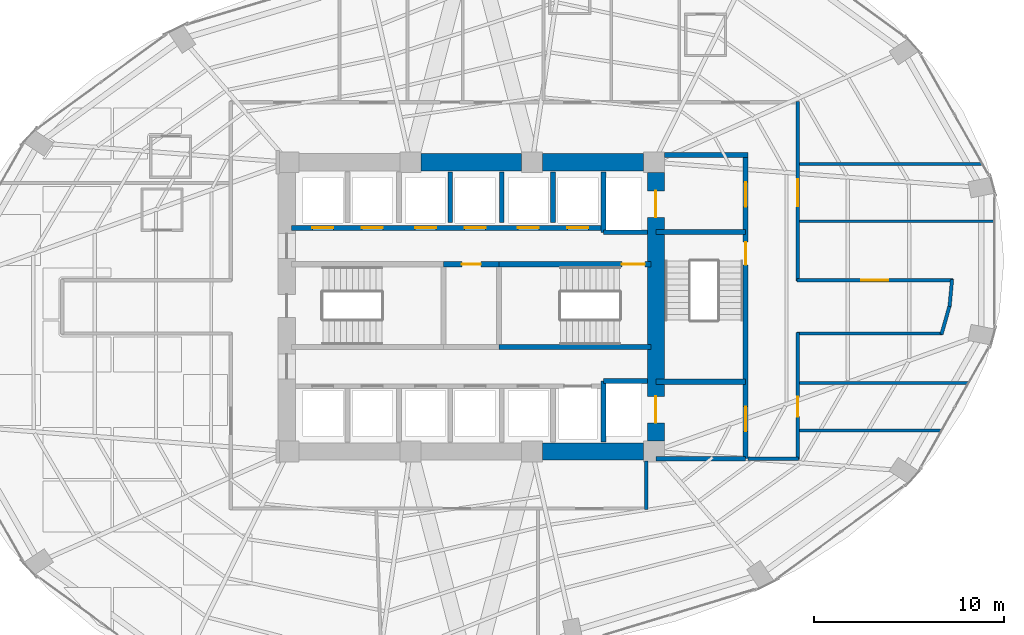
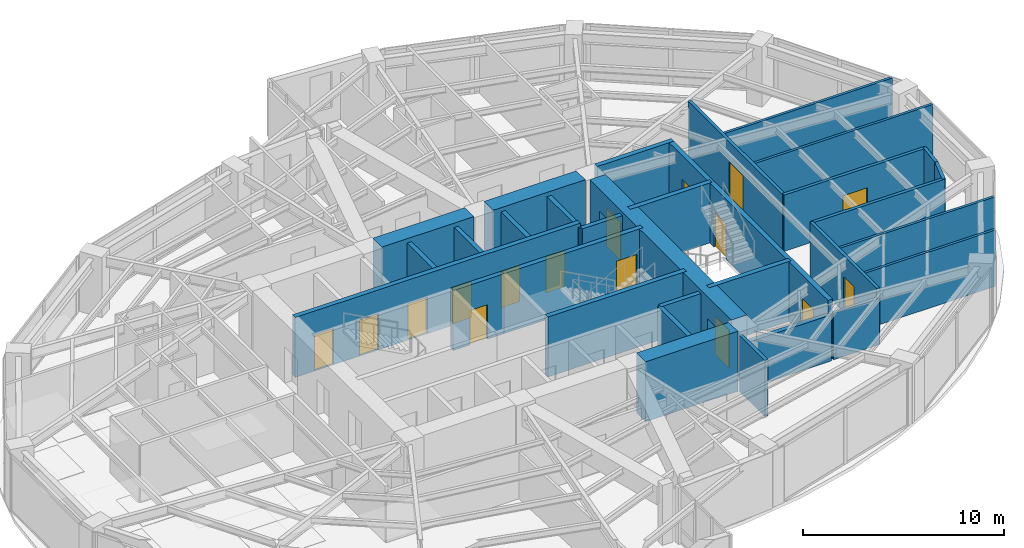
# One storey, part 22 of 25: 32 walls, 16 doors, 16 openings.
"""IFC4 building model written with IfcOpenShell, lengths in metres."""

from ifc_helpers import new_model, si_unit, direction, frame, frame_2d, origin, place, context, subcontext, project, spatial, rectangle, extrude, material, layer, layer_set, type_object, element, fill, save


model = new_model("IFC4")

# Units and contexts
model_context = context("Model", 3, precision=1e-05, world=origin(), true_north=direction((0.0, 1.0)))
body_context = subcontext(model_context, "Body", "Model", "MODEL_VIEW")
ifc_project = project(units=[si_unit("LENGTHUNIT", "METRE"), si_unit("AREAUNIT", "SQUARE_METRE"), si_unit("VOLUMEUNIT", "CUBIC_METRE"), si_unit("PLANEANGLEUNIT", "RADIAN"), si_unit("MASSUNIT", "GRAM", prefix="KILO")], contexts=[model_context])

# Site, building, storey
site_placement = place(None, origin())
site = spatial("IfcSite", under=ifc_project, at=site_placement, CompositionType="ELEMENT")
building_placement = place(site_placement, origin())
building = spatial("IfcBuilding", under=site, at=building_placement, Name="Lazwardi Medical Tower", CompositionType="ELEMENT")
storey_placement = place(building_placement, frame((0.0, 0.0, 47.087890625)))
storey = spatial("IfcBuildingStorey", under=building, at=storey_placement, Name="L11", CompositionType="ELEMENT", Elevation=47.087890625)

# Wall, opening, door
ifc_material_1 = material(Name="Fire-rated gypsum board on steel stud", Category="steel")
ifc_layer_1 = layer(ifc_material_1, 0.179931640625)
ifc_layer_set_1 = layer_set([ifc_layer_1], Name="Fire-rated gypsum board on steel stud")
wall_type_1 = type_object("IfcWallType", Name="WL-COR-180", PredefinedType="PARTITIONING", material=ifc_layer_set_1)
wall_1_placement = place(storey_placement, frame((53.14990234375, 38.7900390625, 0.0), z_axis=(0.0, 0.0, 1.0), x_axis=(0.0, -1.0, 0.0)))
wall_1 = element("IfcWall", 1, at=wall_1_placement, inside=storey, type_object=wall_type_1, Name="L11 Corridor partition 5", PredefinedType="PARTITIONING", context=body_context, shape_type="SweptSolid", body=[
    extrude(rectangle(XDim=9.429931640625, YDim=0.179931640625, at=frame_2d((4.71484375, 0.0))), origin(), (0.0, 0.0, 1.0), 3.42822265625),
])
opening_1_placement = place(wall_1_placement, frame((4.090087890625, 0.0, 0.0)))
opening_1 = element("IfcOpeningElement", 2, at=opening_1_placement, cuts=wall_1, Name="Opening D-L11-015", PredefinedType="OPENING", context=body_context, shape_type="SweptSolid", body=[
    extrude(rectangle(XDim=1.39990234375, YDim=2.199951171875, at=frame_2d((0.699951171875, 1.10009765625))), frame((0.0, 0.099853515625, 0.0), z_axis=(0.0, -1.0, 0.0), x_axis=(1.0, 0.0, 0.0)), (0.0, 0.0, 1.0), 0.199951171875),
])
ifc_material_2 = material(Name="Anti-microbial laminate hospital leaf")
door_type_1 = type_object("IfcDoorType", Name="DR-BED-1400", OperationType="NOTDEFINED", PredefinedType="DOOR", material=ifc_material_2)
door_1_placement = place(opening_1_placement, origin())
door_1 = element("IfcDoor", 3, at=door_1_placement, inside=storey, type_object=door_type_1, Name="L11 Inpatient Ward Door 06", OperationType="SINGLE_SWING_LEFT", OverallHeight=2.199951171875, OverallWidth=1.39990234375, PredefinedType="DOOR", context=body_context, shape_type="SweptSolid", body=[
    extrude(rectangle(XDim=1.39990234375, YDim=2.199951171875, at=frame_2d((0.699951171875, 1.10009765625))), frame((0.0, 0.02490234375, 0.0), z_axis=(0.0, -1.0, 0.0), x_axis=(1.0, 0.0, 0.0)), (0.0, 0.0, 1.0), 0.050048828125),
])
fill(opening_1, door_1)

wall_2_placement = place(storey_placement, frame((53.110107421875, 29.39990234375, 0.0), z_axis=(0.0, 0.0, 1.0), x_axis=(1.0, 0.0, 0.0)))
wall_2 = element("IfcWall", 4, at=wall_2_placement, inside=storey, type_object=wall_type_1, Name="L11 Corridor partition 6", PredefinedType="PARTITIONING", context=body_context, shape_type="SweptSolid", body=[
    extrude(rectangle(XDim=8.19677734375, YDim=0.179931640625, at=frame_2d((4.098388671875, 0.0))), origin(), (0.0, 0.0, 1.0), 3.42822265625),
])
opening_2_placement = place(wall_2_placement, frame((3.3984375, 0.0, 0.0)))
opening_2 = element("IfcOpeningElement", 5, at=opening_2_placement, cuts=wall_2, Name="Opening D-L11-014", PredefinedType="OPENING", context=body_context, shape_type="SweptSolid", body=[
    extrude(rectangle(XDim=1.39990234375, YDim=2.199951171875, at=frame_2d((0.699951171875, 1.10009765625))), frame((0.0, 0.099853515625, 0.0), z_axis=(0.0, -1.0, 0.0), x_axis=(1.0, 0.0, 0.0)), (0.0, 0.0, 1.0), 0.199951171875),
])
door_2_placement = place(opening_2_placement, origin())
door_2 = element("IfcDoor", 6, at=door_2_placement, inside=storey, type_object=door_type_1, Name="L11 Inpatient Ward Door 05", OperationType="SINGLE_SWING_RIGHT", OverallHeight=2.199951171875, OverallWidth=1.39990234375, PredefinedType="DOOR", context=body_context, shape_type="SweptSolid", body=[
    extrude(rectangle(XDim=1.39990234375, YDim=2.199951171875, at=frame_2d((0.699951171875, 1.10009765625))), frame((0.0, 0.02490234375, 0.0), z_axis=(0.0, -1.0, 0.0), x_axis=(1.0, 0.0, 0.0)), (0.0, 0.0, 1.0), 0.050048828125),
])
fill(opening_2, door_2)

# Walls
wall_3_placement = place(storey_placement, frame((61.2705078125, 29.439697265625, 0.0), z_axis=(0.0, 0.0, 1.0), x_axis=(-0.092539930621, -0.995708974169, 0.0)))
element("IfcWall", 7, at=wall_3_placement, inside=storey, type_object=wall_type_1, Name="L11 Corridor partition 7", PredefinedType="PARTITIONING", context=body_context, shape_type="SweptSolid", body=[
    extrude(rectangle(XDim=1.416748046875, YDim=0.179931640625, at=frame_2d((0.70849609375, 0.0))), origin(), (0.0, 0.0, 1.0), 3.42822265625),
])
wall_4_placement = place(storey_placement, frame((61.15380859375, 28.107421875, 0.0), z_axis=(0.0, 0.0, 1.0), x_axis=(-0.271748942561, -0.962368179138, 0.0)))
element("IfcWall", 8, at=wall_4_placement, inside=storey, type_object=wall_type_1, Name="L11 Corridor partition 8", PredefinedType="PARTITIONING", context=body_context, shape_type="SweptSolid", body=[
    extrude(rectangle(XDim=1.6064453125, YDim=0.179931640625, at=frame_2d((0.80322265625, 0.0))), origin(), (0.0, 0.0, 1.0), 3.42822265625),
])
wall_5_placement = place(storey_placement, frame((60.768310546875, 26.60009765625, 0.0), z_axis=(0.0, 0.0, 1.0), x_axis=(-1.0, 0.0, 0.0)))
element("IfcWall", 9, at=wall_5_placement, inside=storey, type_object=wall_type_1, Name="L11 Corridor partition 9", PredefinedType="PARTITIONING", context=body_context, shape_type="SweptSolid", body=[
    extrude(rectangle(XDim=7.658203125, YDim=0.179931640625, at=frame_2d((3.8291015625, 0.0))), origin(), (0.0, 0.0, 1.0), 3.42822265625),
])

# Wall, opening, door
wall_6_placement = place(storey_placement, frame((53.14990234375, 26.639892578125, 0.0), z_axis=(0.0, 0.0, 1.0), x_axis=(0.0, -1.0, 0.0)))
wall_6 = element("IfcWall", 10, at=wall_6_placement, inside=storey, type_object=wall_type_1, Name="L11 Corridor partition 10", PredefinedType="PARTITIONING", context=body_context, shape_type="SweptSolid", body=[
    extrude(rectangle(XDim=6.659912109375, YDim=0.179931640625, at=frame_2d((3.330078125, 0.0))), origin(), (0.0, 0.0, 1.0), 3.42822265625),
])
opening_3_placement = place(wall_6_placement, frame((3.364990234375, 0.0, 0.0)))
opening_3 = element("IfcOpeningElement", 11, at=opening_3_placement, cuts=wall_6, Name="Opening D-L11-013", PredefinedType="OPENING", context=body_context, shape_type="SweptSolid", body=[
    extrude(rectangle(XDim=1.050048828125, YDim=2.14990234375, at=frame_2d((0.52490234375, 1.074951171875))), frame((0.0, 0.099853515625, 0.0), z_axis=(0.0, -1.0, 0.0), x_axis=(1.0, 0.0, 0.0)), (0.0, 0.0, 1.0), 0.199951171875),
])
door_type_2 = type_object("IfcDoorType", Name="DR-CLN-1050", OperationType="NOTDEFINED", PredefinedType="DOOR", material=ifc_material_2)
door_3_placement = place(opening_3_placement, origin())
door_3 = element("IfcDoor", 12, at=door_3_placement, inside=storey, type_object=door_type_2, Name="L11 Outpatient Clinic Door 04", OperationType="SINGLE_SWING_LEFT", OverallHeight=2.14990234375, OverallWidth=1.050048828125, PredefinedType="DOOR", context=body_context, shape_type="SweptSolid", body=[
    extrude(rectangle(XDim=1.050048828125, YDim=2.14990234375, at=frame_2d((0.52490234375, 1.074951171875))), frame((0.0, 0.02490234375, 0.0), z_axis=(0.0, -1.0, 0.0), x_axis=(1.0, 0.0, 0.0)), (0.0, 0.0, 1.0), 0.050048828125),
])
fill(opening_3, door_3)

# Walls
wall_7_placement = place(storey_placement, frame((53.18994140625, 20.02001953125, 0.0), z_axis=(0.0, 0.0, 1.0), x_axis=(-1.0, 0.0, 0.0)))
element("IfcWall", 13, at=wall_7_placement, inside=storey, type_object=wall_type_1, Name="L11 Corridor partition 11", PredefinedType="PARTITIONING", context=body_context, shape_type="SweptSolid", body=[
    extrude(rectangle(XDim=2.64990234375, YDim=0.179931640625, at=frame_2d((1.324951171875, 0.0))), origin(), (0.0, 0.0, 1.0), 2.81298828125),
])
wall_8_placement = place(storey_placement, frame((45.199951171875, 19.909912109375, 0.0), z_axis=(0.0, 0.0, 1.0), x_axis=(0.0, -1.0, 0.0)))
element("IfcWall", 14, at=wall_8_placement, inside=storey, type_object=wall_type_1, Name="L11 Corridor partition 14", PredefinedType="PARTITIONING", context=body_context, shape_type="SweptSolid", body=[
    extrude(rectangle(XDim=2.5498046875, YDim=0.179931640625, at=frame_2d((1.27490234375, 0.0))), origin(), (0.0, 0.0, 1.0), 3.42822265625),
])

# Wall, openings, doors
ifc_material_3 = material(Name="Concrete C80/95", Category="concrete")
ifc_layer_2 = layer(ifc_material_3, 0.89990234375)
ifc_layer_set_2 = layer_set([ifc_layer_2], Name="Concrete C80/95")
wall_type_2 = type_object("IfcWallType", Name="WL-CORE-900", PredefinedType="SHEAR", material=ifc_layer_set_2)
wall_9_placement = place(storey_placement, frame((45.699951171875, 20.949951171875, 0.0), z_axis=(0.0, 0.0, 1.0), x_axis=(0.0, 1.0, 0.0)))
wall_9 = element("IfcWall", 15, at=wall_9_placement, inside=storey, type_object=wall_type_2, Name="Core wall CW-S1 east L11", PredefinedType="SHEAR", context=body_context, shape_type="SweptSolid", body=[
    extrude(rectangle(XDim=14.10009765625, YDim=0.89990234375, at=frame_2d((7.050048828125, 0.0))), origin(), (0.0, 0.0, 1.0), 3.648193359375),
])
opening_4_placement = place(wall_9_placement, frame((11.75, 0.0, 0.0)))
opening_4 = element("IfcOpeningElement", 16, at=opening_4_placement, cuts=wall_9, Name="Opening LD-L11-001", PredefinedType="OPENING", context=body_context, shape_type="SweptSolid", body=[
    extrude(rectangle(XDim=1.39990234375, YDim=2.300048828125, at=frame_2d((0.699951171875, 1.14990234375))), frame((0.0, 0.4599609375, 0.0), z_axis=(0.0, -1.0, 0.0), x_axis=(1.0, 0.0, 0.0)), (0.0, 0.0, 1.0), 0.919921875),
])
opening_5_placement = place(wall_9_placement, frame((0.949951171875, 0.0, 0.0)))
opening_5 = element("IfcOpeningElement", 17, at=opening_5_placement, cuts=wall_9, Name="Opening LD-L11-002", PredefinedType="OPENING", context=body_context, shape_type="SweptSolid", body=[
    extrude(rectangle(XDim=1.39990234375, YDim=2.300048828125, at=frame_2d((0.699951171875, 1.14990234375))), frame((0.0, 0.4599609375, 0.0), z_axis=(0.0, -1.0, 0.0), x_axis=(1.0, 0.0, 0.0)), (0.0, 0.0, 1.0), 0.919921875),
])
ifc_material_4 = material(Name="Brushed stainless steel bed-lift landing door", Category="steel")
door_type_3 = type_object("IfcDoorType", Name="DR-LFT-1400", OperationType="NOTDEFINED", PredefinedType="DOOR", material=ifc_material_4)
door_4_placement = place(opening_4_placement, origin())
door_4 = element("IfcDoor", 18, at=door_4_placement, inside=storey, type_object=door_type_3, Name="L11 Lift Landing Door FL-01", OperationType="SLIDING_TO_LEFT", OverallHeight=2.300048828125, OverallWidth=1.39990234375, PredefinedType="DOOR", context=body_context, shape_type="SweptSolid", body=[
    extrude(rectangle(XDim=1.39990234375, YDim=2.300048828125, at=frame_2d((0.699951171875, 1.14990234375))), frame((0.0, 0.02490234375, 0.0), z_axis=(0.0, -1.0, 0.0), x_axis=(1.0, 0.0, 0.0)), (0.0, 0.0, 1.0), 0.050048828125),
])
fill(opening_4, door_4)
door_5_placement = place(opening_5_placement, origin())
door_5 = element("IfcDoor", 19, at=door_5_placement, inside=storey, type_object=door_type_3, Name="L11 Lift Landing Door FL-02", OperationType="SLIDING_TO_LEFT", OverallHeight=2.300048828125, OverallWidth=1.39990234375, PredefinedType="DOOR", context=body_context, shape_type="SweptSolid", body=[
    extrude(rectangle(XDim=1.39990234375, YDim=2.300048828125, at=frame_2d((0.699951171875, 1.14990234375))), frame((0.0, 0.02490234375, 0.0), z_axis=(0.0, -1.0, 0.0), x_axis=(1.0, 0.0, 0.0)), (0.0, 0.0, 1.0), 0.050048828125),
])
fill(opening_5, door_5)

# Walls
wall_10_placement = place(storey_placement, frame((33.35009765625, 35.60009765625, 0.0), z_axis=(0.0, 0.0, 1.0), x_axis=(1.0, 0.0, 0.0)))
element("IfcWall", 20, at=wall_10_placement, inside=storey, type_object=wall_type_2, Name="Core wall CW-S1 N2 L11", PredefinedType="SHEAR", context=body_context, shape_type="SweptSolid", body=[
    extrude(rectangle(XDim=5.2998046875, YDim=0.89990234375, at=frame_2d((2.64990234375, 0.0))), origin(), (0.0, 0.0, 1.0), 3.648193359375),
])
for number, where, z_axis, x_axis, name in (
    (21, (39.75, 20.39990234375, 0.0), (0.0, 0.0, 1.0), (1.0, 0.0, 0.0), "Core wall CW-S1 S3 L11"),
    (22, (39.75, 35.60009765625, 0.0), (0.0, 0.0, 1.0), (1.0, 0.0, 0.0), "Core wall CW-S1 N3 L11"),
):
    element("IfcWall", number, at=place(storey_placement, frame(where, z_axis=z_axis, x_axis=x_axis)), inside=storey, type_object=wall_type_2, Name=name, PredefinedType="SHEAR", context=body_context, shape_type="SweptSolid", body=[
        extrude(rectangle(XDim=5.300048828125, YDim=0.89990234375, at=frame_2d((2.64990234375, 0.0))), origin(), (0.0, 0.0, 1.0), 3.648193359375),
    ])
ifc_material_5 = material(Name="Autoclaved aerated concrete blockwork", Category="masonry")
ifc_layer_3 = layer(ifc_material_5, 0.25)
ifc_layer_set_3 = layer_set([ifc_layer_3], Name="Autoclaved aerated concrete blockwork")
wall_type_3 = type_object("IfcWallType", Name="WL-SHAFT-250", PredefinedType="SOLIDWALL", material=ifc_layer_set_3)
wall_11_placement = place(storey_placement, frame((42.949951171875, 31.919921875, 0.0), z_axis=(0.0, 0.0, 1.0), x_axis=(0.0, 1.0, 0.0)))
element("IfcWall", 23, at=wall_11_placement, inside=storey, type_object=wall_type_3, Name="L11 FL-01 West shaft wall", PredefinedType="SOLIDWALL", context=body_context, shape_type="SweptSolid", body=[
    extrude(rectangle(XDim=3.18017578125, YDim=0.25, at=frame_2d((1.590087890625, 0.0))), origin(), (0.0, 0.0, 1.0), 3.42822265625),
])
wall_12_placement = place(storey_placement, frame((42.949951171875, 31.919921875, 0.0), z_axis=(0.0, 0.0, 1.0), x_axis=(1.0, 0.0, 0.0)))
element("IfcWall", 24, at=wall_12_placement, inside=storey, type_object=wall_type_3, Name="L11 FL-01 South shaft wall", PredefinedType="SOLIDWALL", context=body_context, shape_type="SweptSolid", body=[
    extrude(rectangle(XDim=2.300048828125, YDim=0.25, at=frame_2d((1.14990234375, 0.0))), origin(), (0.0, 0.0, 1.0), 3.42822265625),
])
wall_13_placement = place(storey_placement, frame((42.949951171875, 20.89990234375, 0.0), z_axis=(0.0, 0.0, 1.0), x_axis=(0.0, 1.0, 0.0)))
element("IfcWall", 25, at=wall_13_placement, inside=storey, type_object=wall_type_3, Name="L11 FL-02 West shaft wall", PredefinedType="SOLIDWALL", context=body_context, shape_type="SweptSolid", body=[
    extrude(rectangle(XDim=3.2001953125, YDim=0.25, at=frame_2d((1.60009765625, 0.0))), origin(), (0.0, 0.0, 1.0), 3.42822265625),
])
wall_14_placement = place(storey_placement, frame((42.949951171875, 24.10009765625, 0.0), z_axis=(0.0, 0.0, 1.0), x_axis=(1.0, 0.0, 0.0)))
element("IfcWall", 26, at=wall_14_placement, inside=storey, type_object=wall_type_3, Name="L11 FL-02 North shaft wall", PredefinedType="SOLIDWALL", context=body_context, shape_type="SweptSolid", body=[
    extrude(rectangle(XDim=2.300048828125, YDim=0.25, at=frame_2d((1.14990234375, 0.0))), origin(), (0.0, 0.0, 1.0), 3.42822265625),
])
for number, where, z_axis, x_axis, name in (
    (27, (34.89990234375, 32.419921875, 0.0), (0.0, 0.0, 1.0), (0.0, 1.0, 0.0), "L11 North hoistway divider"),
    (28, (37.60009765625, 32.419921875, 0.0), (0.0, 0.0, 1.0), (0.0, 1.0, 0.0), "L11 North hoistway divider"),
    (29, (40.300048828125, 32.419921875, 0.0), (0.0, 0.0, 1.0), (0.0, 1.0, 0.0), "L11 North hoistway divider"),
):
    element("IfcWall", number, at=place(storey_placement, frame(where, z_axis=z_axis, x_axis=x_axis)), inside=storey, type_object=wall_type_3, Name=name, PredefinedType="SOLIDWALL", context=body_context, shape_type="SweptSolid", body=[
        extrude(rectangle(XDim=2.68017578125, YDim=0.25, at=frame_2d((1.340087890625, 0.0))), origin(), (0.0, 0.0, 1.0), 3.42822265625),
    ])
wall_15_placement = place(storey_placement, frame((45.699951171875, 20.02001953125, 0.0), z_axis=(0.0, 0.0, 1.0), x_axis=(1.0, 0.0, 0.0)))
element("IfcWall", 30, at=wall_15_placement, inside=storey, type_object=wall_type_3, Name="L11 FFL-S South wall", PredefinedType="SOLIDWALL", context=body_context, shape_type="SweptSolid", body=[
    extrude(rectangle(XDim=4.715087890625, YDim=0.25, at=frame_2d((2.357421875, 0.0))), origin(), (0.0, 0.0, 1.0), 2.81298828125),
])

# Wall, opening, door
ifc_material_6 = material(Name="Concrete C50/60", Category="concrete")
ifc_layer_4 = layer(ifc_material_6, 0.27001953125)
ifc_layer_set_4 = layer_set([ifc_layer_4], Name="Concrete C50/60")
wall_type_4 = type_object("IfcWallType", Name="WL-STR-250", PredefinedType="SHEAR", material=ifc_layer_set_4)
wall_16_placement = place(storey_placement, frame((34.534912109375, 30.235107421875, 0.0), z_axis=(0.0, 0.0, 1.0), x_axis=(1.0, 0.0, 0.0)))
wall_16 = element("IfcWall", 31, at=wall_16_placement, inside=storey, type_object=wall_type_4, Name="L11 Core service North shear wall SW-S1", PredefinedType="SHEAR", context=body_context, shape_type="SweptSolid", body=[
    extrude(rectangle(XDim=2.93017578125, YDim=0.27001953125, at=frame_2d((1.465087890625, 0.0))), origin(), (0.0, 0.0, 1.0), 3.648193359375),
])
opening_6_placement = place(wall_16_placement, frame((0.965087890625, 0.0, 0.0)))
opening_6 = element("IfcOpeningElement", 32, at=opening_6_placement, cuts=wall_16, Name="Opening D-L11-001", PredefinedType="OPENING", context=body_context, shape_type="SweptSolid", body=[
    extrude(rectangle(XDim=1.0, YDim=2.10009765625, at=frame_2d((0.5, 1.050048828125))), frame((0.0, 0.14501953125, 0.0), z_axis=(0.0, -1.0, 0.0), x_axis=(1.0, 0.0, 0.0)), (0.0, 0.0, 1.0), 0.2900390625),
])
ifc_material_7 = material(Name="Moisture-resistant laminate door leaf")
door_type_4 = type_object("IfcDoorType", Name="DR-AWC-1000", OperationType="NOTDEFINED", PredefinedType="DOOR", material=ifc_material_7)
door_6_placement = place(opening_6_placement, origin())
door_6 = element("IfcDoor", 33, at=door_6_placement, inside=storey, type_object=door_type_4, Name="L11 Accessible WC Door", OperationType="SINGLE_SWING_LEFT", OverallHeight=2.10009765625, OverallWidth=1.0, PredefinedType="DOOR", context=body_context, shape_type="SweptSolid", body=[
    extrude(rectangle(XDim=1.0, YDim=2.10009765625, at=frame_2d((0.5, 1.050048828125))), frame((0.0, 0.02490234375, 0.0), z_axis=(0.0, -1.0, 0.0), x_axis=(1.0, 0.0, 0.0)), (0.0, 0.0, 1.0), 0.050048828125),
])
fill(opening_6, door_6)

wall_17_placement = place(storey_placement, frame((37.465087890625, 30.235107421875, 0.0), z_axis=(0.0, 0.0, 1.0), x_axis=(1.0, 0.0, 0.0)))
wall_17 = element("IfcWall", 34, at=wall_17_placement, inside=storey, type_object=wall_type_4, Name="L11 ST2 North shear shaft wall SW-S1", PredefinedType="SHEAR", context=body_context, shape_type="SweptSolid", body=[
    extrude(rectangle(XDim=7.98486328125, YDim=0.27001953125, at=frame_2d((3.992431640625, 0.0))), origin(), (0.0, 0.0, 1.0), 3.648193359375),
])
opening_7_placement = place(wall_17_placement, frame((6.455078125, 0.0, 0.0)))
opening_7 = element("IfcOpeningElement", 35, at=opening_7_placement, cuts=wall_17, Name="Opening D-L11-024", PredefinedType="OPENING", context=body_context, shape_type="SweptSolid", body=[
    extrude(rectangle(XDim=1.199951171875, YDim=2.14990234375, at=frame_2d((0.60009765625, 1.074951171875))), frame((0.0, 0.14501953125, 0.0), z_axis=(0.0, -1.0, 0.0), x_axis=(1.0, 0.0, 0.0)), (0.0, 0.0, 1.0), 0.2900390625),
])
ifc_material_8 = material(Name="Fire-rated steel leaf and frame", Category="steel")
door_type_5 = type_object("IfcDoorType", Name="DR-STR-1200", OperationType="NOTDEFINED", PredefinedType="DOOR", material=ifc_material_8)
door_7_placement = place(opening_7_placement, origin())
door_7 = element("IfcDoor", 36, at=door_7_placement, inside=storey, type_object=door_type_5, Name="L11 Exit Stair ST2 Door", OperationType="SINGLE_SWING_RIGHT", OverallHeight=2.14990234375, OverallWidth=1.199951171875, PredefinedType="DOOR", context=body_context, shape_type="SweptSolid", body=[
    extrude(rectangle(XDim=1.199951171875, YDim=2.14990234375, at=frame_2d((0.60009765625, 1.074951171875))), frame((0.0, 0.02490234375, 0.0), z_axis=(0.0, -1.0, 0.0), x_axis=(1.0, 0.0, 0.0)), (0.0, 0.0, 1.0), 0.050048828125),
])
fill(opening_7, door_7)

# Wall
wall_18_placement = place(storey_placement, frame((37.465087890625, 25.885009765625, 0.0), z_axis=(0.0, 0.0, 1.0), x_axis=(1.0, 0.0, 0.0)))
element("IfcWall", 37, at=wall_18_placement, inside=storey, type_object=wall_type_4, Name="L11 ST2 South shear shaft wall SW-S1", PredefinedType="SHEAR", context=body_context, shape_type="SweptSolid", body=[
    extrude(rectangle(XDim=7.98486328125, YDim=0.27001953125, at=frame_2d((3.992431640625, 0.0))), origin(), (0.0, 0.0, 1.0), 3.648193359375),
])

# Wall, openings, doors
wall_19_placement = place(storey_placement, frame((26.550048828125, 32.14990234375, 0.0), z_axis=(0.0, 0.0, 1.0), x_axis=(1.0, 0.0, 0.0)))
wall_19 = element("IfcWall", 38, at=wall_19_placement, inside=storey, type_object=wall_type_4, Name="L11 North lift bank shear wall SW-S1", PredefinedType="SHEAR", context=body_context, shape_type="SweptSolid", body=[
    extrude(rectangle(XDim=16.39990234375, YDim=0.27001953125, at=frame_2d((8.199951171875, 0.0))), origin(), (0.0, 0.0, 1.0), 3.648193359375),
])
opening_8_placement = place(wall_19_placement, frame((1.10009765625, 0.0, 0.0)))
opening_8 = element("IfcOpeningElement", 39, at=opening_8_placement, cuts=wall_19, Name="Opening LD-L11-004", PredefinedType="OPENING", context=body_context, shape_type="SweptSolid", body=[
    extrude(rectangle(XDim=1.10009765625, YDim=2.199951171875, at=frame_2d((0.550048828125, 1.10009765625))), frame((0.0, 0.14501953125, 0.0), z_axis=(0.0, -1.0, 0.0), x_axis=(1.0, 0.0, 0.0)), (0.0, 0.0, 1.0), 0.2900390625),
])
opening_9_placement = place(wall_19_placement, frame((3.699951171875, 0.0, 0.0)))
opening_9 = element("IfcOpeningElement", 40, at=opening_9_placement, cuts=wall_19, Name="Opening LD-L11-005", PredefinedType="OPENING", context=body_context, shape_type="SweptSolid", body=[
    extrude(rectangle(XDim=1.10009765625, YDim=2.199951171875, at=frame_2d((0.550048828125, 1.10009765625))), frame((0.0, 0.14501953125, 0.0), z_axis=(0.0, -1.0, 0.0), x_axis=(1.0, 0.0, 0.0)), (0.0, 0.0, 1.0), 0.2900390625),
])
opening_10_placement = place(wall_19_placement, frame((6.5, 0.0, 0.0)))
opening_10 = element("IfcOpeningElement", 41, at=opening_10_placement, cuts=wall_19, Name="Opening LD-L11-008", PredefinedType="OPENING", context=body_context, shape_type="SweptSolid", body=[
    extrude(rectangle(XDim=1.10009765625, YDim=2.199951171875, at=frame_2d((0.550048828125, 1.10009765625))), frame((0.0, 0.14501953125, 0.0), z_axis=(0.0, -1.0, 0.0), x_axis=(1.0, 0.0, 0.0)), (0.0, 0.0, 1.0), 0.2900390625),
])
opening_11_placement = place(wall_19_placement, frame((9.10009765625, 0.0, 0.0)))
opening_11 = element("IfcOpeningElement", 42, at=opening_11_placement, cuts=wall_19, Name="Opening LD-L11-009", PredefinedType="OPENING", context=body_context, shape_type="SweptSolid", body=[
    extrude(rectangle(XDim=1.10009765625, YDim=2.199951171875, at=frame_2d((0.550048828125, 1.10009765625))), frame((0.0, 0.14501953125, 0.0), z_axis=(0.0, -1.0, 0.0), x_axis=(1.0, 0.0, 0.0)), (0.0, 0.0, 1.0), 0.2900390625),
])
opening_12_placement = place(wall_19_placement, frame((11.89990234375, 0.0, 0.0)))
opening_12 = element("IfcOpeningElement", 43, at=opening_12_placement, cuts=wall_19, Name="Opening LD-L11-012", PredefinedType="OPENING", context=body_context, shape_type="SweptSolid", body=[
    extrude(rectangle(XDim=1.10009765625, YDim=2.199951171875, at=frame_2d((0.550048828125, 1.10009765625))), frame((0.0, 0.14501953125, 0.0), z_axis=(0.0, -1.0, 0.0), x_axis=(1.0, 0.0, 0.0)), (0.0, 0.0, 1.0), 0.2900390625),
])
opening_13_placement = place(wall_19_placement, frame((14.5, 0.0, 0.0)))
opening_13 = element("IfcOpeningElement", 44, at=opening_13_placement, cuts=wall_19, Name="Opening LD-L11-013", PredefinedType="OPENING", context=body_context, shape_type="SweptSolid", body=[
    extrude(rectangle(XDim=1.10009765625, YDim=2.199951171875, at=frame_2d((0.550048828125, 1.10009765625))), frame((0.0, 0.14501953125, 0.0), z_axis=(0.0, -1.0, 0.0), x_axis=(1.0, 0.0, 0.0)), (0.0, 0.0, 1.0), 0.2900390625),
])
ifc_material_9 = material(Name="Brushed bronze stainless steel landing door", Category="steel")
door_type_6 = type_object("IfcDoorType", Name="DR-LFT-1100", OperationType="NOTDEFINED", PredefinedType="DOOR", material=ifc_material_9)
door_8_placement = place(opening_8_placement, origin())
door_8 = element("IfcDoor", 45, at=door_8_placement, inside=storey, type_object=door_type_6, Name="L11 Lift Landing Door PL-01", OperationType="SLIDING_TO_LEFT", OverallHeight=2.199951171875, OverallWidth=1.10009765625, PredefinedType="DOOR", context=body_context, shape_type="SweptSolid", body=[
    extrude(rectangle(XDim=1.10009765625, YDim=2.199951171875, at=frame_2d((0.550048828125, 1.10009765625))), frame((0.0, 0.02490234375, 0.0), z_axis=(0.0, -1.0, 0.0), x_axis=(1.0, 0.0, 0.0)), (0.0, 0.0, 1.0), 0.050048828125),
])
fill(opening_8, door_8)
door_9_placement = place(opening_9_placement, origin())
door_9 = element("IfcDoor", 46, at=door_9_placement, inside=storey, type_object=door_type_6, Name="L11 Lift Landing Door PL-02", OperationType="SLIDING_TO_LEFT", OverallHeight=2.199951171875, OverallWidth=1.10009765625, PredefinedType="DOOR", context=body_context, shape_type="SweptSolid", body=[
    extrude(rectangle(XDim=1.10009765625, YDim=2.199951171875, at=frame_2d((0.550048828125, 1.10009765625))), frame((0.0, 0.02490234375, 0.0), z_axis=(0.0, -1.0, 0.0), x_axis=(1.0, 0.0, 0.0)), (0.0, 0.0, 1.0), 0.050048828125),
])
fill(opening_9, door_9)
door_10_placement = place(opening_10_placement, origin())
door_10 = element("IfcDoor", 47, at=door_10_placement, inside=storey, type_object=door_type_6, Name="L11 Lift Landing Door PL-05", OperationType="SLIDING_TO_LEFT", OverallHeight=2.199951171875, OverallWidth=1.10009765625, PredefinedType="DOOR", context=body_context, shape_type="SweptSolid", body=[
    extrude(rectangle(XDim=1.10009765625, YDim=2.199951171875, at=frame_2d((0.550048828125, 1.10009765625))), frame((0.0, 0.02490234375, 0.0), z_axis=(0.0, -1.0, 0.0), x_axis=(1.0, 0.0, 0.0)), (0.0, 0.0, 1.0), 0.050048828125),
])
fill(opening_10, door_10)
door_11_placement = place(opening_11_placement, origin())
door_11 = element("IfcDoor", 48, at=door_11_placement, inside=storey, type_object=door_type_6, Name="L11 Lift Landing Door PL-06", OperationType="SLIDING_TO_LEFT", OverallHeight=2.199951171875, OverallWidth=1.10009765625, PredefinedType="DOOR", context=body_context, shape_type="SweptSolid", body=[
    extrude(rectangle(XDim=1.10009765625, YDim=2.199951171875, at=frame_2d((0.550048828125, 1.10009765625))), frame((0.0, 0.02490234375, 0.0), z_axis=(0.0, -1.0, 0.0), x_axis=(1.0, 0.0, 0.0)), (0.0, 0.0, 1.0), 0.050048828125),
])
fill(opening_11, door_11)
door_12_placement = place(opening_12_placement, origin())
door_12 = element("IfcDoor", 49, at=door_12_placement, inside=storey, type_object=door_type_6, Name="L11 Lift Landing Door PL-09", OperationType="SLIDING_TO_LEFT", OverallHeight=2.199951171875, OverallWidth=1.10009765625, PredefinedType="DOOR", context=body_context, shape_type="SweptSolid", body=[
    extrude(rectangle(XDim=1.10009765625, YDim=2.199951171875, at=frame_2d((0.550048828125, 1.10009765625))), frame((0.0, 0.02490234375, 0.0), z_axis=(0.0, -1.0, 0.0), x_axis=(1.0, 0.0, 0.0)), (0.0, 0.0, 1.0), 0.050048828125),
])
fill(opening_12, door_12)
door_13_placement = place(opening_13_placement, origin())
door_13 = element("IfcDoor", 50, at=door_13_placement, inside=storey, type_object=door_type_6, Name="L11 Lift Landing Door PL-10", OperationType="SLIDING_TO_LEFT", OverallHeight=2.199951171875, OverallWidth=1.10009765625, PredefinedType="DOOR", context=body_context, shape_type="SweptSolid", body=[
    extrude(rectangle(XDim=1.10009765625, YDim=2.199951171875, at=frame_2d((0.550048828125, 1.10009765625))), frame((0.0, 0.02490234375, 0.0), z_axis=(0.0, -1.0, 0.0), x_axis=(1.0, 0.0, 0.0)), (0.0, 0.0, 1.0), 0.050048828125),
])
fill(opening_13, door_13)

wall_20_placement = place(storey_placement, frame((50.4150390625, 35.844970703125, 0.0), z_axis=(0.0, 0.0, 1.0), x_axis=(0.0, -1.0, 0.0)))
wall_20 = element("IfcWall", 51, at=wall_20_placement, inside=storey, type_object=wall_type_4, Name="L11 East ST3 & FFL shear wall SW-S1", PredefinedType="SHEAR", context=body_context, shape_type="SweptSolid", body=[
    extrude(rectangle(XDim=15.824951171875, YDim=0.27001953125, at=frame_2d((7.91259765625, 0.0))), origin(), (0.0, 0.0, 1.0), 3.648193359375),
])
opening_14_placement = place(wall_20_placement, frame((4.445068359375, 0.0, 0.0)))
opening_14 = element("IfcOpeningElement", 52, at=opening_14_placement, cuts=wall_20, Name="Opening D-L11-025", PredefinedType="OPENING", context=body_context, shape_type="SweptSolid", body=[
    extrude(rectangle(XDim=1.199951171875, YDim=2.14990234375, at=frame_2d((0.60009765625, 1.074951171875))), frame((0.0, 0.14501953125, 0.0), z_axis=(0.0, -1.0, 0.0), x_axis=(1.0, 0.0, 0.0)), (0.0, 0.0, 1.0), 0.2900390625),
])
opening_15_placement = place(wall_20_placement, frame((1.294921875, 0.0, 0.0)))
opening_15 = element("IfcOpeningElement", 53, at=opening_15_placement, cuts=wall_20, Name="Opening D-L11-006", PredefinedType="OPENING", context=body_context, shape_type="SweptSolid", body=[
    extrude(rectangle(XDim=1.300048828125, YDim=2.199951171875, at=frame_2d((0.64990234375, 1.10009765625))), frame((0.0, 0.14501953125, 0.0), z_axis=(0.0, -1.0, 0.0), x_axis=(1.0, 0.0, 0.0)), (0.0, 0.0, 1.0), 0.2900390625),
])
opening_16_placement = place(wall_20_placement, frame((13.094970703125, 0.0, 0.0)))
opening_16 = element("IfcOpeningElement", 54, at=opening_16_placement, cuts=wall_20, Name="Opening D-L11-007", PredefinedType="OPENING", context=body_context, shape_type="SweptSolid", body=[
    extrude(rectangle(XDim=1.300048828125, YDim=2.199951171875, at=frame_2d((0.64990234375, 1.10009765625))), frame((0.0, 0.14501953125, 0.0), z_axis=(0.0, -1.0, 0.0), x_axis=(1.0, 0.0, 0.0)), (0.0, 0.0, 1.0), 0.2900390625),
])
door_type_7 = type_object("IfcDoorType", Name="DR-FFL-1300", OperationType="NOTDEFINED", PredefinedType="DOOR", material=ifc_material_8)
door_14_placement = place(opening_15_placement, origin())
door_14 = element("IfcDoor", 55, at=door_14_placement, inside=storey, type_object=door_type_7, Name="L11 Fire-Fighting Lobby North Door", OperationType="SINGLE_SWING_LEFT", OverallHeight=2.199951171875, OverallWidth=1.300048828125, PredefinedType="DOOR", context=body_context, shape_type="SweptSolid", body=[
    extrude(rectangle(XDim=1.300048828125, YDim=2.199951171875, at=frame_2d((0.64990234375, 1.10009765625))), frame((0.0, 0.02490234375, 0.0), z_axis=(0.0, -1.0, 0.0), x_axis=(1.0, 0.0, 0.0)), (0.0, 0.0, 1.0), 0.050048828125),
])
fill(opening_15, door_14)
door_15_placement = place(opening_16_placement, origin())
door_15 = element("IfcDoor", 56, at=door_15_placement, inside=storey, type_object=door_type_7, Name="L11 Fire-Fighting Lobby South Door", OperationType="SINGLE_SWING_RIGHT", OverallHeight=2.199951171875, OverallWidth=1.300048828125, PredefinedType="DOOR", context=body_context, shape_type="SweptSolid", body=[
    extrude(rectangle(XDim=1.300048828125, YDim=2.199951171875, at=frame_2d((0.64990234375, 1.10009765625))), frame((0.0, 0.02490234375, 0.0), z_axis=(0.0, -1.0, 0.0), x_axis=(1.0, 0.0, 0.0)), (0.0, 0.0, 1.0), 0.050048828125),
])
fill(opening_16, door_15)
door_16_placement = place(opening_14_placement, origin())
door_16 = element("IfcDoor", 57, at=door_16_placement, inside=storey, type_object=door_type_5, Name="L11 Exit Stair ST3 Door", OperationType="SINGLE_SWING_RIGHT", OverallHeight=2.14990234375, OverallWidth=1.199951171875, PredefinedType="DOOR", context=body_context, shape_type="SweptSolid", body=[
    extrude(rectangle(XDim=1.199951171875, YDim=2.14990234375, at=frame_2d((0.60009765625, 1.074951171875))), frame((0.0, 0.02490234375, 0.0), z_axis=(0.0, -1.0, 0.0), x_axis=(1.0, 0.0, 0.0)), (0.0, 0.0, 1.0), 0.050048828125),
])
fill(opening_14, door_16)

# Walls
wall_21_placement = place(storey_placement, frame((46.14990234375, 35.97998046875, 0.0), z_axis=(0.0, 0.0, 1.0), x_axis=(1.0, 0.0, 0.0)))
element("IfcWall", 58, at=wall_21_placement, inside=storey, type_object=wall_type_4, Name="L11 FFL-N North shear wall SW-S1", PredefinedType="SHEAR", context=body_context, shape_type="SweptSolid", body=[
    extrude(rectangle(XDim=4.400146484375, YDim=0.27001953125, at=frame_2d((2.2001953125, 0.0))), origin(), (0.0, 0.0, 1.0), 3.648193359375),
])
for number, where, z_axis, x_axis, name in (
    (59, (45.699951171875, 31.93505859375, 0.0), (0.0, 0.0, 1.0), (1.0, 0.0, 0.0), "L11 ST3 North shear shaft wall SW-S1"),
    (60, (45.699951171875, 24.06494140625, 0.0), (0.0, 0.0, 1.0), (1.0, 0.0, 0.0), "L11 ST3 South shear shaft wall SW-S1"),
):
    element("IfcWall", number, at=place(storey_placement, frame(where, z_axis=z_axis, x_axis=x_axis)), inside=storey, type_object=wall_type_4, Name=name, PredefinedType="SHEAR", context=body_context, shape_type="SweptSolid", body=[
        extrude(rectangle(XDim=4.715087890625, YDim=0.27001953125, at=frame_2d((2.357421875, 0.0))), origin(), (0.0, 0.0, 1.0), 3.648193359375),
    ])
ifc_material_10 = material(Name="Acoustic gypsum board partition")
ifc_layer_5 = layer(ifc_material_10, 0.14990234375)
ifc_layer_set_5 = layer_set([ifc_layer_5], Name="Acoustic gypsum board partition")
wall_type_5 = type_object("IfcWallType", Name="WL-WRD-150", PredefinedType="PARTITIONING", material=ifc_layer_set_5)
wall_22_placement = place(storey_placement, frame((53.239990234375, 21.5, 0.0), z_axis=(0.0, 0.0, 1.0), x_axis=(1.0, 0.0, 0.0)))
element("IfcWall", 61, at=wall_22_placement, inside=storey, type_object=wall_type_5, Name="L11 Room partition 2", PredefinedType="PARTITIONING", context=body_context, shape_type="SweptSolid", body=[
    extrude(rectangle(XDim=7.47900390625, YDim=0.14990234375, at=frame_2d((3.739501953125, 0.0))), origin(), (0.0, 0.0, 1.0), 3.42822265625),
])
wall_23_placement = place(storey_placement, frame((53.239990234375, 24.0, 0.0), z_axis=(0.0, 0.0, 1.0), x_axis=(1.0, 0.0, 0.0)))
element("IfcWall", 62, at=wall_23_placement, inside=storey, type_object=wall_type_5, Name="L11 Room partition 3", PredefinedType="PARTITIONING", context=body_context, shape_type="SweptSolid", body=[
    extrude(rectangle(XDim=8.895263671875, YDim=0.14990234375, at=frame_2d((4.44775390625, 0.0))), origin(), (0.0, 0.0, 1.0), 3.42822265625),
])
wall_24_placement = place(storey_placement, frame((53.239990234375, 32.5, 0.0), z_axis=(0.0, 0.0, 1.0), x_axis=(1.0, 0.0, 0.0)))
element("IfcWall", 63, at=wall_24_placement, inside=storey, type_object=wall_type_5, Name="L11 Room partition 4", PredefinedType="PARTITIONING", context=body_context, shape_type="SweptSolid", body=[
    extrude(rectangle(XDim=10.252197265625, YDim=0.14990234375, at=frame_2d((5.1259765625, 0.0))), origin(), (0.0, 0.0, 1.0), 3.42822265625),
])
wall_25_placement = place(storey_placement, frame((53.239990234375, 35.5, 0.0), z_axis=(0.0, 0.0, 1.0), x_axis=(1.0, 0.0, 0.0)))
element("IfcWall", 64, at=wall_25_placement, inside=storey, type_object=wall_type_5, Name="L11 Room partition 5", PredefinedType="PARTITIONING", context=body_context, shape_type="SweptSolid", body=[
    extrude(rectangle(XDim=9.631591796875, YDim=0.14990234375, at=frame_2d((4.81591796875, 0.0))), origin(), (0.0, 0.0, 1.0), 3.42822265625),
])

save(model, "model.ifc")
